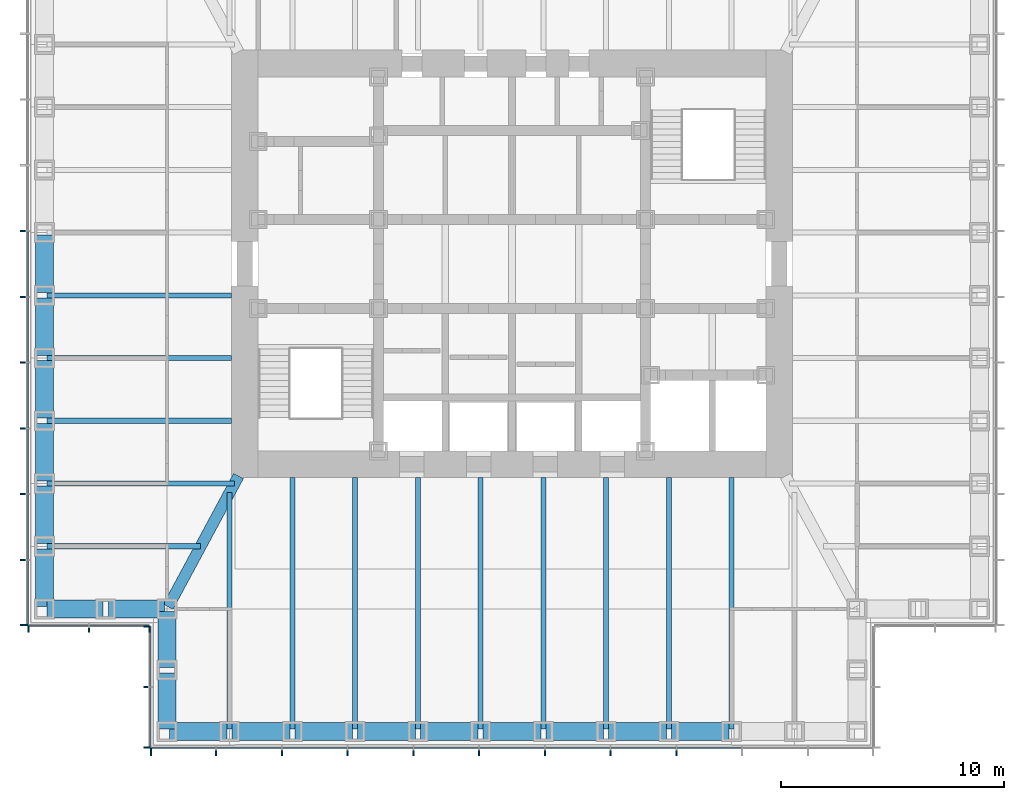
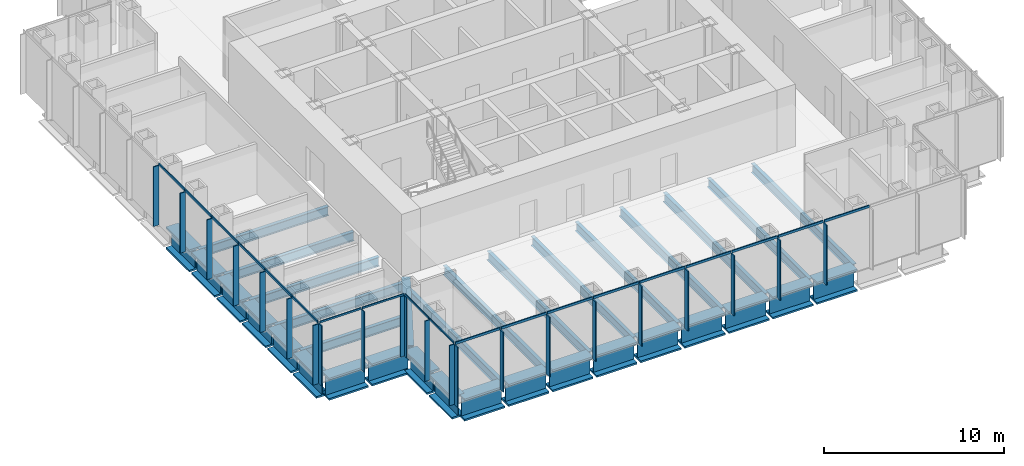
# One storey, part 2 of 17: 41 members, 34 beams, 4 elements without a shape of their own.
"""IFC4 building model written with IfcOpenShell, lengths in metres."""

import ifcopenshell
import ifcopenshell.guid

model = None  # the IFC model being written
_history = None  # IfcOwnerHistory: only IFC2X3 demands one
_inside = {}  # id of a spatial element -> (the spatial element, [elements in it])
_under = {}  # id of a project, library or spatial element -> (it, [spatial elements below it])
_declared = {}  # id of a project -> (the project, [libraries it declares])
_typed = {}  # id of a type object -> (the type object, [elements of that type])
_made_of = {}  # id of a material, layer set ... -> (it, [elements and type objects made of it])


def new_model(schema):
    """Start an empty IFC model of exactly this schema.

    Asked for "IFC4X3", IfcOpenShell would pick the latest addendum, in which some entities
    have other attributes; the version numbers below select the first issue.
    IFC2X3 requires an IfcOwnerHistory on every rooted entity: one is made here for all.
    """
    global model, _history
    if schema == "IFC4X3":
        model = ifcopenshell.file(schema_version=(4, 3, 0, 0))
    else:
        model = ifcopenshell.file(schema=schema)
    _inside.clear()
    _under.clear()
    _declared.clear()
    _typed.clear()
    _made_of.clear()
    _history = None
    if model.schema == "IFC2X3":
        org = make("IfcOrganization", Name="unknown")
        user = make(
            "IfcPersonAndOrganization",
            ThePerson=make("IfcPerson", FamilyName="unknown"),
            TheOrganization=org,
        )
        app = make(
            "IfcApplication",
            ApplicationDeveloper=org,
            Version="unknown",
            ApplicationFullName="unknown",
            ApplicationIdentifier="unknown",
        )
        _history = make(
            "IfcOwnerHistory",
            OwningUser=user,
            OwningApplication=app,
            ChangeAction="ADDED",
            CreationDate=0,
        )
    return model


def make(cls, **values):
    """One entity of the class cls with the attributes given. An attribute that is None is left unset."""
    return model.create_entity(
        cls, **{name: value for name, value in values.items() if value is not None}
    )


def rooted(cls, **values):
    """An entity with a GlobalId (a new one), such as an element, a storey or a relation."""
    return make(cls, GlobalId=ifcopenshell.guid.new(), OwnerHistory=_history, **values)


def si_unit(unit_type, name, prefix=None):
    """IfcSIUnit, for example si_unit("LENGTHUNIT", "METRE", prefix="MILLI")."""
    return make("IfcSIUnit", UnitType=unit_type, Prefix=prefix, Name=name)


def assignment(units):
    """IfcUnitAssignment: the units of a project."""
    return None if units is None else make("IfcUnitAssignment", Units=units)


def point(xyz):
    """IfcCartesianPoint."""
    return None if xyz is None else make("IfcCartesianPoint", Coordinates=xyz)


def direction(xyz):
    """IfcDirection."""
    return None if xyz is None else make("IfcDirection", DirectionRatios=xyz)


def frame(location, z_axis=None, x_axis=None):
    """IfcAxis2Placement3D, a coordinate frame: its origin and axes. An axis left out is left unset."""
    return make(
        "IfcAxis2Placement3D",
        Location=point(location),
        Axis=direction(z_axis),
        RefDirection=direction(x_axis),
    )


def frame_2d(location, x_axis=None):
    """IfcAxis2Placement2D, a coordinate frame in the plane: its origin and x axis."""
    return make(
        "IfcAxis2Placement2D", Location=point(location), RefDirection=direction(x_axis)
    )


def origin():
    """The frame at (0, 0, 0) with its axes left unset."""
    return frame((0.0, 0.0, 0.0))


def origin_2d():
    """The frame at (0, 0) in the plane with its x axis left unset."""
    return frame_2d((0.0, 0.0))


def place(relative_to, where):
    """IfcLocalPlacement: puts the frame where relative to a parent placement (None: the world)."""
    return make(
        "IfcLocalPlacement", PlacementRelTo=relative_to, RelativePlacement=where
    )


def context(
    kind, dimensions, precision=None, world=None, true_north=None, identifier=None
):
    """IfcGeometricRepresentationContext, for example the 3D "Model" context."""
    return make(
        "IfcGeometricRepresentationContext",
        ContextIdentifier=identifier,
        ContextType=kind,
        CoordinateSpaceDimension=dimensions,
        Precision=precision,
        WorldCoordinateSystem=world,
        TrueNorth=true_north,
    )


def subcontext(parent, identifier, kind, view, scale=None):
    """IfcGeometricRepresentationSubContext, for example "Body" below "Model"."""
    return make(
        "IfcGeometricRepresentationSubContext",
        ContextIdentifier=identifier,
        ContextType=kind,
        ParentContext=parent,
        TargetScale=scale,
        TargetView=view,
    )


def project(units=None, contexts=None):
    """IfcProject with its units and contexts."""
    return rooted(
        "IfcProject",
        Name="project",
        RepresentationContexts=contexts,
        UnitsInContext=assignment(units),
    )


def spatial(cls, under=None, at=None, **own):
    """A site, building, storey or space (cls), placed at a placement, below another one or the project."""
    s = rooted(cls, ObjectPlacement=at, **own)
    if under is not None:
        _under.setdefault(under.id(), (under, []))[1].append(s)
    return s


def profile(cls, at=None, kind="AREA", **sizes):
    """A parametric profile (cls). Its sizes go by their IFC names, for example OverallWidth=200.0."""
    return make(cls, ProfileType=kind, Position=at, **sizes)


def rectangle(**sizes):
    """IfcRectangleProfileDef."""
    return profile("IfcRectangleProfileDef", **sizes)


def i_section(**sizes):
    """IfcIShapeProfileDef."""
    return profile("IfcIShapeProfileDef", **sizes)


def extrude(swept, where, along, depth):
    """IfcExtrudedAreaSolid: the profile swept, set in the frame where, extruded along a direction by depth."""
    return make(
        "IfcExtrudedAreaSolid",
        SweptArea=swept,
        Position=where,
        ExtrudedDirection=direction(along),
        Depth=depth,
    )


def shape(context_of_items, identifier, shape_type, items):
    """IfcShapeRepresentation: the items that make up one representation, for example the "Body"."""
    return make(
        "IfcShapeRepresentation",
        ContextOfItems=context_of_items,
        RepresentationIdentifier=identifier,
        RepresentationType=shape_type,
        Items=items,
    )


def material(Name=None, Category=None):
    """IfcMaterial."""
    return make("IfcMaterial", Name=Name, Category=Category)


def material_profile(
    of_material, cross_section, Name=None, Category=None, Priority=None
):
    """IfcMaterialProfile: a cross section and its material."""
    return make(
        "IfcMaterialProfile",
        Name=Name,
        Material=of_material,
        Profile=cross_section,
        Priority=Priority,
        Category=Category,
    )


def profile_set(profiles, Name=None, composite=None):
    """IfcMaterialProfileSet."""
    return make(
        "IfcMaterialProfileSet",
        Name=Name,
        MaterialProfiles=profiles,
        CompositeProfile=composite,
    )


def made_of(thing, what):
    """Note that an element or type object is made of a material, layer set ...; save() writes the relation."""
    if what is not None:
        _made_of.setdefault(what.id(), (what, []))[1].append(thing)
    return thing


def type_object(cls, material=None, **own):
    """A type object (cls), such as IfcWallType, which elements share."""
    return made_of(rooted(cls, **own), material)


def element(
    cls,
    number,
    at=None,
    inside=None,
    cuts=None,
    type_object=None,
    material=None,
    context=None,
    identifier="Body",
    shape_type=None,
    held_by="IfcProductDefinitionShape",
    body=None,
    shapes=None,
    **own,
):
    """One element of the class cls, such as IfcWall. Its Tag is "e" and its number.

    at: its placement. inside: the storey or other place that contains it. cuts: it is an
    opening in that element (IfcRelVoidsElement). A single representation is given by context,
    identifier, shape_type and body (its items); several are given by shapes. held_by: the class
    of the entity that holds the representations. save() writes the other relations.
    """
    e = rooted(cls, Tag="e%d" % number, ObjectPlacement=at, **own)
    if body is not None:
        shapes = [shape(context, identifier, shape_type, body)]
    if shapes is not None:
        e.Representation = make(held_by, Representations=shapes)
    if inside is not None:
        _inside.setdefault(inside.id(), (inside, []))[1].append(e)
    if cuts is not None:
        rooted(
            "IfcRelVoidsElement", RelatingBuildingElement=cuts, RelatedOpeningElement=e
        )
    if type_object is not None:
        _typed.setdefault(type_object.id(), (type_object, []))[1].append(e)
    return made_of(e, material)


def aggregate(whole, parts):
    """IfcRelAggregates: a whole, such as a stair, and the parts it consists of."""
    return rooted("IfcRelAggregates", RelatingObject=whole, RelatedObjects=parts)


def save(model, path):
    """Write the relations noted so far, then the file.

    IfcRelAggregates (storeys below a building ...), IfcRelContainedInSpatialStructure (elements
    in a storey), IfcRelDefinesByType, IfcRelAssociatesMaterial and IfcRelDeclares: one each for
    every whole, place, type object, material and project.
    """
    for whole, parts in _under.values():
        aggregate(whole, parts)
    for where, things in _inside.values():
        rooted(
            "IfcRelContainedInSpatialStructure",
            RelatedElements=things,
            RelatingStructure=where,
        )
    for kind, things in _typed.values():
        rooted("IfcRelDefinesByType", RelatedObjects=things, RelatingType=kind)
    for what, things in _made_of.values():
        rooted("IfcRelAssociatesMaterial", RelatedObjects=things, RelatingMaterial=what)
    for by, libraries in _declared.values():
        rooted("IfcRelDeclares", RelatingContext=by, RelatedDefinitions=libraries)
    model.write(path)


model = new_model("IFC4")

# Units and contexts
model_context = context("Model", 3, precision=1e-05, world=origin(), true_north=direction((0.0, 1.0)))
body_context = subcontext(model_context, "Body", "Model", "MODEL_VIEW")
ifc_project = project(units=[si_unit("LENGTHUNIT", "METRE"), si_unit("AREAUNIT", "SQUARE_METRE"), si_unit("VOLUMEUNIT", "CUBIC_METRE"), si_unit("PLANEANGLEUNIT", "RADIAN"), si_unit("MASSUNIT", "GRAM", prefix="KILO")], contexts=[model_context])

# Site, building, storey
site_placement = place(None, origin())
site = spatial("IfcSite", under=ifc_project, at=site_placement, CompositionType="ELEMENT")
building_placement = place(site_placement, origin())
building = spatial("IfcBuilding", under=site, at=building_placement, Name="Daluyong Arena Tower", CompositionType="ELEMENT")
storey_placement = place(building_placement, frame((0.0, 0.0, 193.89990234375)))
storey = spatial("IfcBuildingStorey", under=building, at=storey_placement, Name="L43", CompositionType="ELEMENT", Elevation=193.89990234375)

# Curtain wall, members
ifc_material_1 = material(Name="Bronze anodised aluminium and glass", Category="aluminium")
curtain_wall_type_1 = type_object("IfcCurtainWallType", Name="Curtain wall CW3", PredefinedType="USERDEFINED", material=ifc_material_1)
curtain_wall_1_placement = place(storey_placement, origin())
curtain_wall_1 = element("IfcCurtainWall", 1, at=curtain_wall_1_placement, inside=storey, type_object=curtain_wall_type_1, Name="curtain wall L43 S", ObjectType="UNITISED CURTAIN WALL", PredefinedType="USERDEFINED")
ifc_material_2 = material(Name="Bronze anodised aluminium fin", Category="aluminium")
ifc_material_profile_1 = material_profile(ifc_material_2, rectangle(XDim=0.35009765625, YDim=0.070068359375, at=origin_2d()))
ifc_profile_set_1 = profile_set([ifc_material_profile_1], Name="Bronze anodised aluminium fin")
member_type_1 = type_object("IfcMemberType", Name="CW3 bronze fin 350x70", PredefinedType="MULLION", material=ifc_profile_set_1)
member_1_placement = place(storey_placement, frame((39.784912109375, 58.074951171875, 0.0), z_axis=(0.0, 0.0, 1.0), x_axis=(0.0, 1.0, 0.0)))
member_1 = element("IfcMember", 2, at=member_1_placement, type_object=member_type_1, Name="curtain wall L43 S fin 1", PredefinedType="MULLION", context=body_context, shape_type="SweptSolid", body=[
    extrude(rectangle(XDim=0.35009765625, YDim=0.070068359375, at=origin_2d()), origin(), (0.0, 0.0, 1.0), 4.0400390625),
])
member_2_placement = place(storey_placement, frame((42.70458984375, 58.074951171875, 0.0), z_axis=(0.0, 0.0, 1.0), x_axis=(0.0, 1.0, 0.0)))
member_2 = element("IfcMember", 3, at=member_2_placement, type_object=member_type_1, Name="curtain wall L43 S fin 2", PredefinedType="MULLION", context=body_context, shape_type="SweptSolid", body=[
    extrude(rectangle(XDim=0.35009765625, YDim=0.070068359375, at=origin_2d()), origin(), (0.0, 0.0, 1.0), 4.0400390625),
])
member_3_placement = place(storey_placement, frame((45.6591796875, 58.074951171875, 0.0), z_axis=(0.0, 0.0, 1.0), x_axis=(0.0, 1.0, 0.0)))
member_3 = element("IfcMember", 4, at=member_3_placement, type_object=member_type_1, Name="curtain wall L43 S fin 3", PredefinedType="MULLION", context=body_context, shape_type="SweptSolid", body=[
    extrude(rectangle(XDim=0.35009765625, YDim=0.070068359375, at=origin_2d()), origin(), (0.0, 0.0, 1.0), 4.0400390625),
])
member_4_placement = place(storey_placement, frame((48.613525390625, 58.074951171875, 0.0), z_axis=(0.0, 0.0, 1.0), x_axis=(0.0, 1.0, 0.0)))
member_4 = element("IfcMember", 5, at=member_4_placement, type_object=member_type_1, Name="curtain wall L43 S fin 4", PredefinedType="MULLION", context=body_context, shape_type="SweptSolid", body=[
    extrude(rectangle(XDim=0.35009765625, YDim=0.070068359375, at=origin_2d()), origin(), (0.0, 0.0, 1.0), 4.0400390625),
])
member_5_placement = place(storey_placement, frame((51.568115234375, 58.074951171875, 0.0), z_axis=(0.0, 0.0, 1.0), x_axis=(0.0, 1.0, 0.0)))
member_5 = element("IfcMember", 6, at=member_5_placement, type_object=member_type_1, Name="curtain wall L43 S fin 5", PredefinedType="MULLION", context=body_context, shape_type="SweptSolid", body=[
    extrude(rectangle(XDim=0.35009765625, YDim=0.070068359375, at=origin_2d()), origin(), (0.0, 0.0, 1.0), 4.0400390625),
])
member_6_placement = place(storey_placement, frame((54.522705078125, 58.074951171875, 0.0), z_axis=(0.0, 0.0, 1.0), x_axis=(0.0, 1.0, 0.0)))
member_6 = element("IfcMember", 7, at=member_6_placement, type_object=member_type_1, Name="curtain wall L43 S fin 6", PredefinedType="MULLION", context=body_context, shape_type="SweptSolid", body=[
    extrude(rectangle(XDim=0.35009765625, YDim=0.070068359375, at=origin_2d()), origin(), (0.0, 0.0, 1.0), 4.0400390625),
])
member_7_placement = place(storey_placement, frame((57.477294921875, 58.074951171875, 0.0), z_axis=(0.0, 0.0, 1.0), x_axis=(0.0, 1.0, 0.0)))
member_7 = element("IfcMember", 8, at=member_7_placement, type_object=member_type_1, Name="curtain wall L43 S fin 7", PredefinedType="MULLION", context=body_context, shape_type="SweptSolid", body=[
    extrude(rectangle(XDim=0.35009765625, YDim=0.070068359375, at=origin_2d()), origin(), (0.0, 0.0, 1.0), 4.0400390625),
])
member_8_placement = place(storey_placement, frame((60.431884765625, 58.074951171875, 0.0), z_axis=(0.0, 0.0, 1.0), x_axis=(0.0, 1.0, 0.0)))
member_8 = element("IfcMember", 9, at=member_8_placement, type_object=member_type_1, Name="curtain wall L43 S fin 8", PredefinedType="MULLION", context=body_context, shape_type="SweptSolid", body=[
    extrude(rectangle(XDim=0.35009765625, YDim=0.070068359375, at=origin_2d()), origin(), (0.0, 0.0, 1.0), 4.0400390625),
])
member_9_placement = place(storey_placement, frame((63.386474609375, 58.074951171875, 0.0), z_axis=(0.0, 0.0, 1.0), x_axis=(0.0, 1.0, 0.0)))
member_9 = element("IfcMember", 10, at=member_9_placement, type_object=member_type_1, Name="curtain wall L43 S fin 9", PredefinedType="MULLION", context=body_context, shape_type="SweptSolid", body=[
    extrude(rectangle(XDim=0.35009765625, YDim=0.070068359375, at=origin_2d()), origin(), (0.0, 0.0, 1.0), 4.0400390625),
])

curtain_wall_2_placement = place(storey_placement, origin())
curtain_wall_2 = element("IfcCurtainWall", 11, at=curtain_wall_2_placement, inside=storey, type_object=curtain_wall_type_1, Name="curtain wall L43 W", ObjectType="UNITISED CURTAIN WALL", PredefinedType="USERDEFINED")
member_10_placement = place(storey_placement, frame((34.074951171875, 81.477294921875, 0.0), z_axis=(0.0, 0.0, 1.0), x_axis=(1.0, 0.0, 0.0)))
member_10 = element("IfcMember", 12, at=member_10_placement, type_object=member_type_1, Name="curtain wall L43 W fin 6", PredefinedType="MULLION", context=body_context, shape_type="SweptSolid", body=[
    extrude(rectangle(XDim=0.35009765625, YDim=0.070068359375, at=origin_2d()), origin(), (0.0, 0.0, 1.0), 4.0400390625),
])
member_11_placement = place(storey_placement, frame((34.074951171875, 78.522705078125, 0.0), z_axis=(0.0, 0.0, 1.0), x_axis=(1.0, 0.0, 0.0)))
member_11 = element("IfcMember", 13, at=member_11_placement, type_object=member_type_1, Name="curtain wall L43 W fin 7", PredefinedType="MULLION", context=body_context, shape_type="SweptSolid", body=[
    extrude(rectangle(XDim=0.35009765625, YDim=0.070068359375, at=origin_2d()), origin(), (0.0, 0.0, 1.0), 4.0400390625),
])
member_12_placement = place(storey_placement, frame((34.074951171875, 75.568115234375, 0.0), z_axis=(0.0, 0.0, 1.0), x_axis=(1.0, 0.0, 0.0)))
member_12 = element("IfcMember", 14, at=member_12_placement, type_object=member_type_1, Name="curtain wall L43 W fin 8", PredefinedType="MULLION", context=body_context, shape_type="SweptSolid", body=[
    extrude(rectangle(XDim=0.35009765625, YDim=0.070068359375, at=origin_2d()), origin(), (0.0, 0.0, 1.0), 4.0400390625),
])
member_13_placement = place(storey_placement, frame((34.074951171875, 72.613525390625, 0.0), z_axis=(0.0, 0.0, 1.0), x_axis=(1.0, 0.0, 0.0)))
member_13 = element("IfcMember", 15, at=member_13_placement, type_object=member_type_1, Name="curtain wall L43 W fin 9", PredefinedType="MULLION", context=body_context, shape_type="SweptSolid", body=[
    extrude(rectangle(XDim=0.35009765625, YDim=0.070068359375, at=origin_2d()), origin(), (0.0, 0.0, 1.0), 4.0400390625),
])
member_14_placement = place(storey_placement, frame((34.074951171875, 69.6591796875, 0.0), z_axis=(0.0, 0.0, 1.0), x_axis=(1.0, 0.0, 0.0)))
member_14 = element("IfcMember", 16, at=member_14_placement, type_object=member_type_1, Name="curtain wall L43 W fin 10", PredefinedType="MULLION", context=body_context, shape_type="SweptSolid", body=[
    extrude(rectangle(XDim=0.35009765625, YDim=0.070068359375, at=origin_2d()), origin(), (0.0, 0.0, 1.0), 4.0400390625),
])
member_15_placement = place(storey_placement, frame((34.074951171875, 66.70458984375, 0.0), z_axis=(0.0, 0.0, 1.0), x_axis=(1.0, 0.0, 0.0)))
member_15 = element("IfcMember", 17, at=member_15_placement, type_object=member_type_1, Name="curtain wall L43 W fin 11", PredefinedType="MULLION", context=body_context, shape_type="SweptSolid", body=[
    extrude(rectangle(XDim=0.35009765625, YDim=0.070068359375, at=origin_2d()), origin(), (0.0, 0.0, 1.0), 4.0400390625),
])
member_16_placement = place(storey_placement, frame((34.074951171875, 63.784912109375, 0.0), z_axis=(0.0, 0.0, 1.0), x_axis=(1.0, 0.0, 0.0)))
member_16 = element("IfcMember", 18, at=member_16_placement, type_object=member_type_1, Name="curtain wall L43 W fin 12", PredefinedType="MULLION", context=body_context, shape_type="SweptSolid", body=[
    extrude(rectangle(XDim=0.35009765625, YDim=0.070068359375, at=origin_2d()), origin(), (0.0, 0.0, 1.0), 4.0400390625),
])

# Member
ifc_material_3 = material(Name="Bronze anodised aluminium", Category="aluminium")
ifc_material_profile_2 = material_profile(ifc_material_3, rectangle(XDim=0.070068359375, YDim=0.159912109375, at=origin_2d()))
ifc_profile_set_2 = profile_set([ifc_material_profile_2], Name="Bronze anodised aluminium")
member_type_2 = type_object("IfcMemberType", Name="CW3 stack transom 160x70", PredefinedType="USERDEFINED", material=ifc_profile_set_2)
member_17_placement = place(storey_placement, frame((39.820068359375, 58.25, 4.1201171875), z_axis=(1.0, 0.0, 0.0), x_axis=(0.0, 1.0, 0.0)))
member_17 = element("IfcMember", 19, at=member_17_placement, type_object=member_type_2, Name="curtain wall L43 S transom 1", ObjectType="TRANSOM", PredefinedType="USERDEFINED", context=body_context, shape_type="SweptSolid", body=[
    extrude(rectangle(XDim=0.070068359375, YDim=0.159912109375, at=origin_2d()), origin(), (0.0, 0.0, 1.0), 2.849365234375),
])

member_18_placement = place(storey_placement, frame((42.739501953125, 58.25, 4.1201171875), z_axis=(1.0, 0.0, 0.0), x_axis=(0.0, 1.0, 0.0)))
member_18 = element("IfcMember", 20, at=member_18_placement, type_object=member_type_2, Name="curtain wall L43 S transom 2", ObjectType="TRANSOM", PredefinedType="USERDEFINED", context=body_context, shape_type="SweptSolid", body=[
    extrude(rectangle(XDim=0.070068359375, YDim=0.159912109375, at=origin_2d()), origin(), (0.0, 0.0, 1.0), 2.884521484375),
])

member_19_placement = place(storey_placement, frame((45.694091796875, 58.25, 4.1201171875), z_axis=(1.0, 0.0, 0.0), x_axis=(0.0, 1.0, 0.0)))
member_19 = element("IfcMember", 21, at=member_19_placement, type_object=member_type_2, Name="curtain wall L43 S transom 3", ObjectType="TRANSOM", PredefinedType="USERDEFINED", context=body_context, shape_type="SweptSolid", body=[
    extrude(rectangle(XDim=0.070068359375, YDim=0.159912109375, at=origin_2d()), origin(), (0.0, 0.0, 1.0), 2.884521484375),
])

member_20_placement = place(storey_placement, frame((48.648681640625, 58.25, 4.1201171875), z_axis=(1.0, 0.0, 0.0), x_axis=(0.0, 1.0, 0.0)))
member_20 = element("IfcMember", 22, at=member_20_placement, type_object=member_type_2, Name="curtain wall L43 S transom 4", ObjectType="TRANSOM", PredefinedType="USERDEFINED", context=body_context, shape_type="SweptSolid", body=[
    extrude(rectangle(XDim=0.070068359375, YDim=0.159912109375, at=origin_2d()), origin(), (0.0, 0.0, 1.0), 2.884521484375),
])

member_21_placement = place(storey_placement, frame((51.603271484375, 58.25, 4.1201171875), z_axis=(1.0, 0.0, 0.0), x_axis=(0.0, 1.0, 0.0)))
member_21 = element("IfcMember", 23, at=member_21_placement, type_object=member_type_2, Name="curtain wall L43 S transom 5", ObjectType="TRANSOM", PredefinedType="USERDEFINED", context=body_context, shape_type="SweptSolid", body=[
    extrude(rectangle(XDim=0.070068359375, YDim=0.159912109375, at=origin_2d()), origin(), (0.0, 0.0, 1.0), 2.884521484375),
])

member_22_placement = place(storey_placement, frame((54.5576171875, 58.25, 4.1201171875), z_axis=(1.0, 0.0, 0.0), x_axis=(0.0, 1.0, 0.0)))
member_22 = element("IfcMember", 24, at=member_22_placement, type_object=member_type_2, Name="curtain wall L43 S transom 6", ObjectType="TRANSOM", PredefinedType="USERDEFINED", context=body_context, shape_type="SweptSolid", body=[
    extrude(rectangle(XDim=0.070068359375, YDim=0.159912109375, at=origin_2d()), origin(), (0.0, 0.0, 1.0), 2.884765625),
])

member_23_placement = place(storey_placement, frame((57.51220703125, 58.25, 4.1201171875), z_axis=(1.0, 0.0, 0.0), x_axis=(0.0, 1.0, 0.0)))
member_23 = element("IfcMember", 25, at=member_23_placement, type_object=member_type_2, Name="curtain wall L43 S transom 7", ObjectType="TRANSOM", PredefinedType="USERDEFINED", context=body_context, shape_type="SweptSolid", body=[
    extrude(rectangle(XDim=0.070068359375, YDim=0.159912109375, at=origin_2d()), origin(), (0.0, 0.0, 1.0), 2.884521484375),
])

member_24_placement = place(storey_placement, frame((60.466796875, 58.25, 4.1201171875), z_axis=(1.0, 0.0, 0.0), x_axis=(0.0, 1.0, 0.0)))
member_24 = element("IfcMember", 26, at=member_24_placement, type_object=member_type_2, Name="curtain wall L43 S transom 8", ObjectType="TRANSOM", PredefinedType="USERDEFINED", context=body_context, shape_type="SweptSolid", body=[
    extrude(rectangle(XDim=0.070068359375, YDim=0.159912109375, at=origin_2d()), origin(), (0.0, 0.0, 1.0), 2.884521484375),
])

member_25_placement = place(storey_placement, frame((63.42138671875, 58.25, 4.1201171875), z_axis=(1.0, 0.0, 0.0), x_axis=(0.0, 1.0, 0.0)))
member_25 = element("IfcMember", 27, at=member_25_placement, type_object=member_type_2, Name="curtain wall L43 S transom 9", ObjectType="TRANSOM", PredefinedType="USERDEFINED", context=body_context, shape_type="SweptSolid", body=[
    extrude(rectangle(XDim=0.070068359375, YDim=0.159912109375, at=origin_2d()), origin(), (0.0, 0.0, 1.0), 2.884521484375),
])

aggregate(curtain_wall_1, [member_1, member_2, member_3, member_4, member_5, member_6, member_7, member_8, member_9, member_17, member_18, member_19, member_20, member_21, member_22, member_23, member_24, member_25])

member_26_placement = place(storey_placement, frame((34.25, 81.4423828125, 4.1201171875), z_axis=(0.0, -1.0, 0.0), x_axis=(1.0, 0.0, 0.0)))
member_26 = element("IfcMember", 28, at=member_26_placement, type_object=member_type_2, Name="curtain wall L43 W transom 6", ObjectType="TRANSOM", PredefinedType="USERDEFINED", context=body_context, shape_type="SweptSolid", body=[
    extrude(rectangle(XDim=0.070068359375, YDim=0.159912109375, at=origin_2d()), origin(), (0.0, 0.0, 1.0), 2.884765625),
])

member_27_placement = place(storey_placement, frame((34.25, 78.48779296875, 4.1201171875), z_axis=(0.0, -1.0, 0.0), x_axis=(1.0, 0.0, 0.0)))
member_27 = element("IfcMember", 29, at=member_27_placement, type_object=member_type_2, Name="curtain wall L43 W transom 7", ObjectType="TRANSOM", PredefinedType="USERDEFINED", context=body_context, shape_type="SweptSolid", body=[
    extrude(rectangle(XDim=0.070068359375, YDim=0.159912109375, at=origin_2d()), origin(), (0.0, 0.0, 1.0), 2.884521484375),
])

member_28_placement = place(storey_placement, frame((34.25, 75.533203125, 4.1201171875), z_axis=(0.0, -1.0, 0.0), x_axis=(1.0, 0.0, 0.0)))
member_28 = element("IfcMember", 30, at=member_28_placement, type_object=member_type_2, Name="curtain wall L43 W transom 8", ObjectType="TRANSOM", PredefinedType="USERDEFINED", context=body_context, shape_type="SweptSolid", body=[
    extrude(rectangle(XDim=0.070068359375, YDim=0.159912109375, at=origin_2d()), origin(), (0.0, 0.0, 1.0), 2.884521484375),
])

member_29_placement = place(storey_placement, frame((34.25, 72.57861328125, 4.1201171875), z_axis=(0.0, -1.0, 0.0), x_axis=(1.0, 0.0, 0.0)))
member_29 = element("IfcMember", 31, at=member_29_placement, type_object=member_type_2, Name="curtain wall L43 W transom 9", ObjectType="TRANSOM", PredefinedType="USERDEFINED", context=body_context, shape_type="SweptSolid", body=[
    extrude(rectangle(XDim=0.070068359375, YDim=0.159912109375, at=origin_2d()), origin(), (0.0, 0.0, 1.0), 2.884521484375),
])

member_30_placement = place(storey_placement, frame((34.25, 69.6240234375, 4.1201171875), z_axis=(0.0, -1.0, 0.0), x_axis=(1.0, 0.0, 0.0)))
member_30 = element("IfcMember", 32, at=member_30_placement, type_object=member_type_2, Name="curtain wall L43 W transom 10", ObjectType="TRANSOM", PredefinedType="USERDEFINED", context=body_context, shape_type="SweptSolid", body=[
    extrude(rectangle(XDim=0.070068359375, YDim=0.159912109375, at=origin_2d()), origin(), (0.0, 0.0, 1.0), 2.884521484375),
])

member_31_placement = place(storey_placement, frame((34.25, 66.66943359375, 4.1201171875), z_axis=(0.0, -1.0, 0.0), x_axis=(1.0, 0.0, 0.0)))
member_31 = element("IfcMember", 33, at=member_31_placement, type_object=member_type_2, Name="curtain wall L43 W transom 11", ObjectType="TRANSOM", PredefinedType="USERDEFINED", context=body_context, shape_type="SweptSolid", body=[
    extrude(rectangle(XDim=0.070068359375, YDim=0.159912109375, at=origin_2d()), origin(), (0.0, 0.0, 1.0), 2.849365234375),
])

aggregate(curtain_wall_2, [member_10, member_11, member_12, member_13, member_14, member_15, member_16, member_26, member_27, member_28, member_29, member_30, member_31])

# Curtain wall, members
ifc_material_4 = material(Name="Bronze anodised aluminium and glass", Category="aluminium")
curtain_wall_type_2 = type_object("IfcCurtainWallType", Name="Curtain wall CW7", PredefinedType="USERDEFINED", material=ifc_material_4)
curtain_wall_3_placement = place(storey_placement, origin())
curtain_wall_3 = element("IfcCurtainWall", 34, at=curtain_wall_3_placement, inside=storey, type_object=curtain_wall_type_2, Name="curtain wall L43 SW-S", ObjectType="UNITISED CURTAIN WALL", PredefinedType="USERDEFINED")
ifc_material_5 = material(Name="Bronze anodised aluminium fin", Category="aluminium")
ifc_material_profile_3 = material_profile(ifc_material_5, rectangle(XDim=0.300048828125, YDim=0.06005859375, at=origin_2d()))
ifc_profile_set_3 = profile_set([ifc_material_profile_3], Name="Bronze anodised aluminium fin")
member_type_3 = type_object("IfcMemberType", Name="CW7 bronze fin 300x60", PredefinedType="MULLION", material=ifc_profile_set_3)
member_32_placement = place(storey_placement, frame((34.280029296875, 63.60009765625, 0.0), z_axis=(0.0, 0.0, 1.0), x_axis=(0.0, 1.0, 0.0)))
member_32 = element("IfcMember", 35, at=member_32_placement, type_object=member_type_3, Name="curtain wall L43 SW-S fin 1", PredefinedType="MULLION", context=body_context, shape_type="SweptSolid", body=[
    extrude(rectangle(XDim=0.300048828125, YDim=0.06005859375, at=origin_2d()), origin(), (0.0, 0.0, 1.0), 4.080078125),
])
member_33_placement = place(storey_placement, frame((37.0, 63.60009765625, 0.0), z_axis=(0.0, 0.0, 1.0), x_axis=(0.0, 1.0, 0.0)))
member_33 = element("IfcMember", 36, at=member_33_placement, type_object=member_type_3, Name="curtain wall L43 SW-S fin 2", PredefinedType="MULLION", context=body_context, shape_type="SweptSolid", body=[
    extrude(rectangle(XDim=0.300048828125, YDim=0.06005859375, at=origin_2d()), origin(), (0.0, 0.0, 1.0), 4.080078125),
])
member_34_placement = place(storey_placement, frame((39.719970703125, 63.60009765625, 0.0), z_axis=(0.0, 0.0, 1.0), x_axis=(0.0, 1.0, 0.0)))
member_34 = element("IfcMember", 37, at=member_34_placement, type_object=member_type_3, Name="curtain wall L43 SW-S fin 3", PredefinedType="MULLION", context=body_context, shape_type="SweptSolid", body=[
    extrude(rectangle(XDim=0.300048828125, YDim=0.06005859375, at=origin_2d()), origin(), (0.0, 0.0, 1.0), 4.080078125),
])

curtain_wall_4_placement = place(storey_placement, origin())
curtain_wall_4 = element("IfcCurtainWall", 38, at=curtain_wall_4_placement, inside=storey, type_object=curtain_wall_type_2, Name="curtain wall L43 SW-W", ObjectType="UNITISED CURTAIN WALL", PredefinedType="USERDEFINED")
member_35_placement = place(storey_placement, frame((39.60009765625, 63.719970703125, 0.0), z_axis=(0.0, 0.0, 1.0), x_axis=(1.0, 0.0, 0.0)))
member_35 = element("IfcMember", 39, at=member_35_placement, type_object=member_type_3, Name="curtain wall L43 SW-W fin 1", PredefinedType="MULLION", context=body_context, shape_type="SweptSolid", body=[
    extrude(rectangle(XDim=0.300048828125, YDim=0.06005859375, at=origin_2d()), origin(), (0.0, 0.0, 1.0), 4.080078125),
])
member_36_placement = place(storey_placement, frame((39.60009765625, 61.0, 0.0), z_axis=(0.0, 0.0, 1.0), x_axis=(1.0, 0.0, 0.0)))
member_36 = element("IfcMember", 40, at=member_36_placement, type_object=member_type_3, Name="curtain wall L43 SW-W fin 2", PredefinedType="MULLION", context=body_context, shape_type="SweptSolid", body=[
    extrude(rectangle(XDim=0.300048828125, YDim=0.06005859375, at=origin_2d()), origin(), (0.0, 0.0, 1.0), 4.080078125),
])
member_37_placement = place(storey_placement, frame((39.60009765625, 58.280029296875, 0.0), z_axis=(0.0, 0.0, 1.0), x_axis=(1.0, 0.0, 0.0)))
member_37 = element("IfcMember", 41, at=member_37_placement, type_object=member_type_3, Name="curtain wall L43 SW-W fin 3", PredefinedType="MULLION", context=body_context, shape_type="SweptSolid", body=[
    extrude(rectangle(XDim=0.300048828125, YDim=0.06005859375, at=origin_2d()), origin(), (0.0, 0.0, 1.0), 4.080078125),
])

# Member
ifc_material_6 = material(Name="Bronze anodised aluminium", Category="aluminium")
ifc_material_profile_4 = material_profile(ifc_material_6, rectangle(XDim=0.06005859375, YDim=0.1201171875, at=origin_2d()))
ifc_profile_set_4 = profile_set([ifc_material_profile_4], Name="Bronze anodised aluminium")
member_type_4 = type_object("IfcMemberType", Name="CW7 stack transom 120x60", PredefinedType="USERDEFINED", material=ifc_profile_set_4)
member_38_placement = place(storey_placement, frame((34.31005859375, 63.75, 4.14013671875), z_axis=(1.0, 0.0, 0.0), x_axis=(0.0, 1.0, 0.0)))
member_38 = element("IfcMember", 42, at=member_38_placement, type_object=member_type_4, Name="curtain wall L43 SW-S transom 1", ObjectType="TRANSOM", PredefinedType="USERDEFINED", context=body_context, shape_type="SweptSolid", body=[
    extrude(rectangle(XDim=0.06005859375, YDim=0.1201171875, at=origin_2d()), origin(), (0.0, 0.0, 1.0), 2.659912109375),
])

member_39_placement = place(storey_placement, frame((37.030029296875, 63.75, 4.14013671875), z_axis=(1.0, 0.0, 0.0), x_axis=(0.0, 1.0, 0.0)))
member_39 = element("IfcMember", 43, at=member_39_placement, type_object=member_type_4, Name="curtain wall L43 SW-S transom 2", ObjectType="TRANSOM", PredefinedType="USERDEFINED", context=body_context, shape_type="SweptSolid", body=[
    extrude(rectangle(XDim=0.06005859375, YDim=0.1201171875, at=origin_2d()), origin(), (0.0, 0.0, 1.0), 2.659912109375),
])

aggregate(curtain_wall_3, [member_32, member_33, member_34, member_38, member_39])

member_40_placement = place(storey_placement, frame((39.75, 63.68994140625, 4.14013671875), z_axis=(0.0, -1.0, 0.0), x_axis=(1.0, 0.0, 0.0)))
member_40 = element("IfcMember", 44, at=member_40_placement, type_object=member_type_4, Name="curtain wall L43 SW-W transom 1", ObjectType="TRANSOM", PredefinedType="USERDEFINED", context=body_context, shape_type="SweptSolid", body=[
    extrude(rectangle(XDim=0.06005859375, YDim=0.1201171875, at=origin_2d()), origin(), (0.0, 0.0, 1.0), 2.659912109375),
])

member_41_placement = place(storey_placement, frame((39.75, 60.969970703125, 4.14013671875), z_axis=(0.0, -1.0, 0.0), x_axis=(1.0, 0.0, 0.0)))
member_41 = element("IfcMember", 45, at=member_41_placement, type_object=member_type_4, Name="curtain wall L43 SW-W transom 2", ObjectType="TRANSOM", PredefinedType="USERDEFINED", context=body_context, shape_type="SweptSolid", body=[
    extrude(rectangle(XDim=0.06005859375, YDim=0.1201171875, at=origin_2d()), origin(), (0.0, 0.0, 1.0), 2.659912109375),
])

aggregate(curtain_wall_4, [member_35, member_36, member_37, member_40, member_41])

# Beams
ifc_material_7 = material(Name="Steel ASTM A572 Grade 50", Category="steel")
ifc_material_profile_5 = material_profile(ifc_material_7, i_section(OverallWidth=0.5, OverallDepth=1.0, WebThickness=0.03, FlangeThickness=0.06, at=origin_2d()))
ifc_profile_set_5 = profile_set([ifc_material_profile_5], Name="Steel ASTM A572 Grade 50")
beam_type_1 = type_object("IfcBeamType", Name="Corner girder TB1000X500", PredefinedType="BEAM", material=ifc_profile_set_5)
beam_1_placement = place(storey_placement, frame((40.554443359375, 64.601318359375, -0.659912109375), z_axis=(0.474119475266, 0.880460517669, 0.0), x_axis=(-0.880460517669, 0.474119475266, 0.0)))
element("IfcBeam", 46, at=beam_1_placement, inside=storey, type_object=beam_type_1, Name="corner girder DG2", PredefinedType="BEAM", context=body_context, shape_type="SweptSolid", body=[
    extrude(i_section(OverallWidth=0.5, OverallDepth=1.0, WebThickness=0.03, FlangeThickness=0.06, at=origin_2d()), origin(), (0.0, 0.0, 1.0), 6.66748046875),
])
ifc_material_8 = material(Name="Steel ASTM A992 Grade 50", Category="steel")
ifc_material_profile_6 = material_profile(ifc_material_8, i_section(OverallWidth=0.22900390625, OverallDepth=0.612060546875, WebThickness=0.011962890625, FlangeThickness=0.01953125, at=origin_2d()))
ifc_profile_set_6 = profile_set([ifc_material_profile_6], Name="Steel ASTM A992 Grade 50")
beam_type_2 = type_object("IfcBeamType", Name="Floor beam W24X84", PredefinedType="BEAM", material=ifc_profile_set_6)
beam_2_placement = place(storey_placement, frame((43.318115234375, 59.114990234375, -0.466064453125), z_axis=(0.0, 1.0, 0.0), x_axis=(-1.0, 0.0, 0.0)))
element("IfcBeam", 47, at=beam_2_placement, inside=storey, type_object=beam_type_2, Name="floor beam FB3", PredefinedType="BEAM", context=body_context, shape_type="SweptSolid", body=[
    extrude(i_section(OverallWidth=0.22900390625, OverallDepth=0.612060546875, WebThickness=0.011962890625, FlangeThickness=0.01953125, at=origin_2d()), origin(), (0.0, 0.0, 1.0), 10.618896484375),
])
for number, where, z_axis, x_axis, name in (
    (48, (46.136474609375, 59.114990234375, -0.466064453125), (0.0, 1.0, 0.0), (-1.0, 0.0, 0.0), "floor beam FB3"),
    (49, (48.95458984375, 59.114990234375, -0.466064453125), (0.0, 1.0, 0.0), (-1.0, 0.0, 0.0), "floor beam FB3"),
    (50, (51.772705078125, 59.114990234375, -0.466064453125), (0.0, 1.0, 0.0), (-1.0, 0.0, 0.0), "floor beam FB3"),
    (51, (54.5908203125, 59.114990234375, -0.466064453125), (0.0, 1.0, 0.0), (-1.0, 0.0, 0.0), "floor beam FB3"),
    (52, (57.4091796875, 59.114990234375, -0.466064453125), (0.0, 1.0, 0.0), (-1.0, 0.0, 0.0), "floor beam FB3"),
    (53, (60.227294921875, 59.114990234375, -0.466064453125), (0.0, 1.0, 0.0), (-1.0, 0.0, 0.0), "floor beam FB3"),
    (54, (63.04541015625, 59.114990234375, -0.466064453125), (0.0, 1.0, 0.0), (-1.0, 0.0, 0.0), "floor beam FB3"),
    (55, (65.863525390625, 59.114990234375, -0.466064453125), (0.0, 1.0, 0.0), (-1.0, 0.0, 0.0), "floor beam FB3"),
):
    element("IfcBeam", number, at=place(storey_placement, frame(where, z_axis=z_axis, x_axis=x_axis)), inside=storey, type_object=beam_type_2, Name=name, PredefinedType="BEAM", context=body_context, shape_type="SweptSolid", body=[
        extrude(i_section(OverallWidth=0.22900390625, OverallDepth=0.612060546875, WebThickness=0.011962890625, FlangeThickness=0.01953125, at=origin_2d()), origin(), (0.0, 0.0, 1.0), 11.284912109375),
    ])
for number, where, z_axis, x_axis, name in (
    (56, (35.114990234375, 78.5908203125, -0.466064453125), (1.0, 0.0, 0.0), (0.0, 1.0, 0.0), "floor beam FB3"),
    (57, (35.114990234375, 75.772705078125, -0.466064453125), (1.0, 0.0, 0.0), (0.0, 1.0, 0.0), "floor beam FB3"),
    (58, (35.114990234375, 72.95458984375, -0.466064453125), (1.0, 0.0, 0.0), (0.0, 1.0, 0.0), "floor beam FB3"),
):
    element("IfcBeam", number, at=place(storey_placement, frame(where, z_axis=z_axis, x_axis=x_axis)), inside=storey, type_object=beam_type_2, Name=name, PredefinedType="BEAM", context=body_context, shape_type="SweptSolid", body=[
        extrude(i_section(OverallWidth=0.22900390625, OverallDepth=0.612060546875, WebThickness=0.011962890625, FlangeThickness=0.01953125, at=origin_2d()), origin(), (0.0, 0.0, 1.0), 8.284912109375),
    ])
beam_3_placement = place(storey_placement, frame((35.114990234375, 70.136474609375, -0.466064453125), z_axis=(1.0, 0.0, 0.0), x_axis=(0.0, 1.0, 0.0)))
element("IfcBeam", 59, at=beam_3_placement, inside=storey, type_object=beam_type_2, Name="floor beam FB3", PredefinedType="BEAM", context=body_context, shape_type="SweptSolid", body=[
    extrude(i_section(OverallWidth=0.22900390625, OverallDepth=0.612060546875, WebThickness=0.011962890625, FlangeThickness=0.01953125, at=origin_2d()), origin(), (0.0, 0.0, 1.0), 8.419921875),
])
beam_4_placement = place(storey_placement, frame((35.114990234375, 67.318115234375, -0.466064453125), z_axis=(1.0, 0.0, 0.0), x_axis=(0.0, 1.0, 0.0)))
element("IfcBeam", 60, at=beam_4_placement, inside=storey, type_object=beam_type_2, Name="floor beam FB3", PredefinedType="BEAM", context=body_context, shape_type="SweptSolid", body=[
    extrude(i_section(OverallWidth=0.22900390625, OverallDepth=0.612060546875, WebThickness=0.011962890625, FlangeThickness=0.01953125, at=origin_2d()), origin(), (0.0, 0.0, 1.0), 6.902587890625),
])
ifc_material_9 = material(Name="Steel ASTM A588 Grade 50", Category="steel")
ifc_material_profile_7 = material_profile(ifc_material_9, i_section(OverallWidth=0.800048828125, OverallDepth=1.5, WebThickness=0.05, FlangeThickness=0.12, at=origin_2d()))
ifc_profile_set_7 = profile_set([ifc_material_profile_7], Name="Steel ASTM A588 Grade 50")
beam_type_3 = type_object("IfcBeamType", Name="Spandrel Z3 PG1500X800", PredefinedType="SPANDREL", material=ifc_profile_set_7)
beam_5_placement = place(storey_placement, frame((40.614990234375, 59.0, -0.909912109375), z_axis=(1.0, 0.0, 0.0), x_axis=(0.0, 1.0, 0.0)))
element("IfcBeam", 61, at=beam_5_placement, inside=storey, type_object=beam_type_3, Name="spandrel z3 SB7", PredefinedType="SPANDREL", context=body_context, shape_type="SweptSolid", body=[
    extrude(i_section(OverallWidth=0.800048828125, OverallDepth=1.5, WebThickness=0.05, FlangeThickness=0.12, at=origin_2d()), origin(), (0.0, 0.0, 1.0), 2.588134765625),
])
beam_6_placement = place(storey_placement, frame((43.43310546875, 59.0, -0.909912109375), z_axis=(1.0, 0.0, 0.0), x_axis=(0.0, 1.0, 0.0)))
element("IfcBeam", 62, at=beam_6_placement, inside=storey, type_object=beam_type_3, Name="spandrel z3 SB7", PredefinedType="SPANDREL", context=body_context, shape_type="SweptSolid", body=[
    extrude(i_section(OverallWidth=0.800048828125, OverallDepth=1.5, WebThickness=0.05, FlangeThickness=0.12, at=origin_2d()), origin(), (0.0, 0.0, 1.0), 2.58837890625),
])
for number, where, z_axis, x_axis, name in (
    (63, (46.25146484375, 59.0, -0.909912109375), (1.0, 0.0, 0.0), (0.0, 1.0, 0.0), "spandrel z3 SB7"),
    (64, (49.069580078125, 59.0, -0.909912109375), (1.0, 0.0, 0.0), (0.0, 1.0, 0.0), "spandrel z3 SB7"),
    (65, (51.8876953125, 59.0, -0.909912109375), (1.0, 0.0, 0.0), (0.0, 1.0, 0.0), "spandrel z3 SB7"),
):
    element("IfcBeam", number, at=place(storey_placement, frame(where, z_axis=z_axis, x_axis=x_axis)), inside=storey, type_object=beam_type_3, Name=name, PredefinedType="SPANDREL", context=body_context, shape_type="SweptSolid", body=[
        extrude(i_section(OverallWidth=0.800048828125, OverallDepth=1.5, WebThickness=0.05, FlangeThickness=0.12, at=origin_2d()), origin(), (0.0, 0.0, 1.0), 2.588134765625),
    ])
beam_7_placement = place(storey_placement, frame((54.705810546875, 59.0, -0.909912109375), z_axis=(1.0, 0.0, 0.0), x_axis=(0.0, 1.0, 0.0)))
element("IfcBeam", 66, at=beam_7_placement, inside=storey, type_object=beam_type_3, Name="spandrel z3 SB7", PredefinedType="SPANDREL", context=body_context, shape_type="SweptSolid", body=[
    extrude(i_section(OverallWidth=0.800048828125, OverallDepth=1.5, WebThickness=0.05, FlangeThickness=0.12, at=origin_2d()), origin(), (0.0, 0.0, 1.0), 2.58837890625),
])
for number, where, z_axis, x_axis, name in (
    (67, (57.524169921875, 59.0, -0.909912109375), (1.0, 0.0, 0.0), (0.0, 1.0, 0.0), "spandrel z3 SB7"),
    (68, (60.34228515625, 59.0, -0.909912109375), (1.0, 0.0, 0.0), (0.0, 1.0, 0.0), "spandrel z3 SB7"),
    (69, (63.160400390625, 59.0, -0.909912109375), (1.0, 0.0, 0.0), (0.0, 1.0, 0.0), "spandrel z3 SB7"),
):
    element("IfcBeam", number, at=place(storey_placement, frame(where, z_axis=z_axis, x_axis=x_axis)), inside=storey, type_object=beam_type_3, Name=name, PredefinedType="SPANDREL", context=body_context, shape_type="SweptSolid", body=[
        extrude(i_section(OverallWidth=0.800048828125, OverallDepth=1.5, WebThickness=0.05, FlangeThickness=0.12, at=origin_2d()), origin(), (0.0, 0.0, 1.0), 2.588134765625),
    ])
beam_8_placement = place(storey_placement, frame((35.0, 81.294189453125, -0.909912109375), z_axis=(0.0, -1.0, 0.0), x_axis=(1.0, 0.0, 0.0)))
element("IfcBeam", 70, at=beam_8_placement, inside=storey, type_object=beam_type_3, Name="spandrel z3 SB7", PredefinedType="SPANDREL", context=body_context, shape_type="SweptSolid", body=[
    extrude(i_section(OverallWidth=0.800048828125, OverallDepth=1.5, WebThickness=0.05, FlangeThickness=0.12, at=origin_2d()), origin(), (0.0, 0.0, 1.0), 2.58837890625),
])
for number, where, z_axis, x_axis, name in (
    (71, (35.0, 78.475830078125, -0.909912109375), (0.0, -1.0, 0.0), (1.0, 0.0, 0.0), "spandrel z3 SB7"),
    (72, (35.0, 75.65771484375, -0.909912109375), (0.0, -1.0, 0.0), (1.0, 0.0, 0.0), "spandrel z3 SB7"),
    (73, (35.0, 72.839599609375, -0.909912109375), (0.0, -1.0, 0.0), (1.0, 0.0, 0.0), "spandrel z3 SB7"),
):
    element("IfcBeam", number, at=place(storey_placement, frame(where, z_axis=z_axis, x_axis=x_axis)), inside=storey, type_object=beam_type_3, Name=name, PredefinedType="SPANDREL", context=body_context, shape_type="SweptSolid", body=[
        extrude(i_section(OverallWidth=0.800048828125, OverallDepth=1.5, WebThickness=0.05, FlangeThickness=0.12, at=origin_2d()), origin(), (0.0, 0.0, 1.0), 2.588134765625),
    ])
beam_9_placement = place(storey_placement, frame((35.0, 70.021484375, -0.909912109375), z_axis=(0.0, -1.0, 0.0), x_axis=(1.0, 0.0, 0.0)))
element("IfcBeam", 74, at=beam_9_placement, inside=storey, type_object=beam_type_3, Name="spandrel z3 SB7", PredefinedType="SPANDREL", context=body_context, shape_type="SweptSolid", body=[
    extrude(i_section(OverallWidth=0.800048828125, OverallDepth=1.5, WebThickness=0.05, FlangeThickness=0.12, at=origin_2d()), origin(), (0.0, 0.0, 1.0), 2.58837890625),
])
beam_10_placement = place(storey_placement, frame((35.0, 67.203125, -0.909912109375), z_axis=(0.0, -1.0, 0.0), x_axis=(1.0, 0.0, 0.0)))
element("IfcBeam", 75, at=beam_10_placement, inside=storey, type_object=beam_type_3, Name="spandrel z3 SB7", PredefinedType="SPANDREL", context=body_context, shape_type="SweptSolid", body=[
    extrude(i_section(OverallWidth=0.800048828125, OverallDepth=1.5, WebThickness=0.05, FlangeThickness=0.12, at=origin_2d()), origin(), (0.0, 0.0, 1.0), 2.588134765625),
])
for number, where, z_axis, x_axis, name in (
    (76, (35.114990234375, 64.5, -0.909912109375), (1.0, 0.0, 0.0), (0.0, 1.0, 0.0), "spandrel z3 SB7"),
    (77, (37.864990234375, 64.5, -0.909912109375), (1.0, 0.0, 0.0), (0.0, 1.0, 0.0), "spandrel z3 SB7"),
    (78, (40.5, 64.385009765625, -0.909912109375), (0.0, -1.0, 0.0), (1.0, 0.0, 0.0), "spandrel z3 SB7"),
    (79, (40.5, 61.635009765625, -0.909912109375), (0.0, -1.0, 0.0), (1.0, 0.0, 0.0), "spandrel z3 SB7"),
):
    element("IfcBeam", number, at=place(storey_placement, frame(where, z_axis=z_axis, x_axis=x_axis)), inside=storey, type_object=beam_type_3, Name=name, PredefinedType="SPANDREL", context=body_context, shape_type="SweptSolid", body=[
        extrude(i_section(OverallWidth=0.800048828125, OverallDepth=1.5, WebThickness=0.05, FlangeThickness=0.12, at=origin_2d()), origin(), (0.0, 0.0, 1.0), 2.52001953125),
    ])

save(model, "model.ifc")
